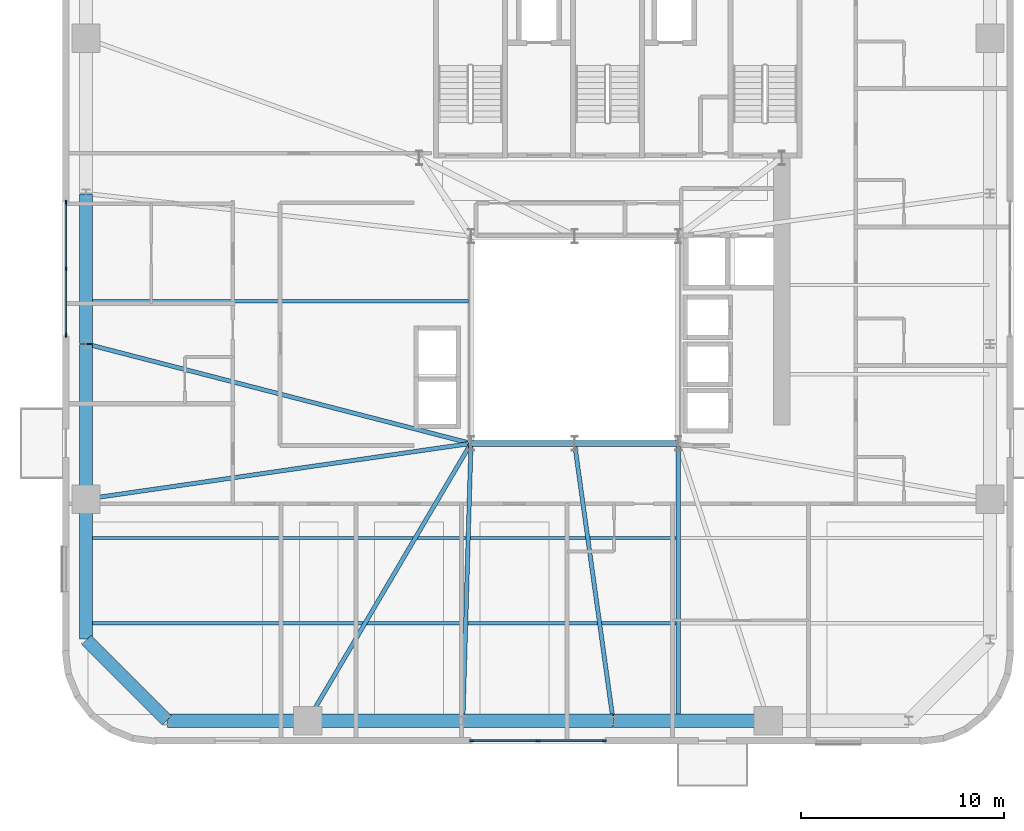
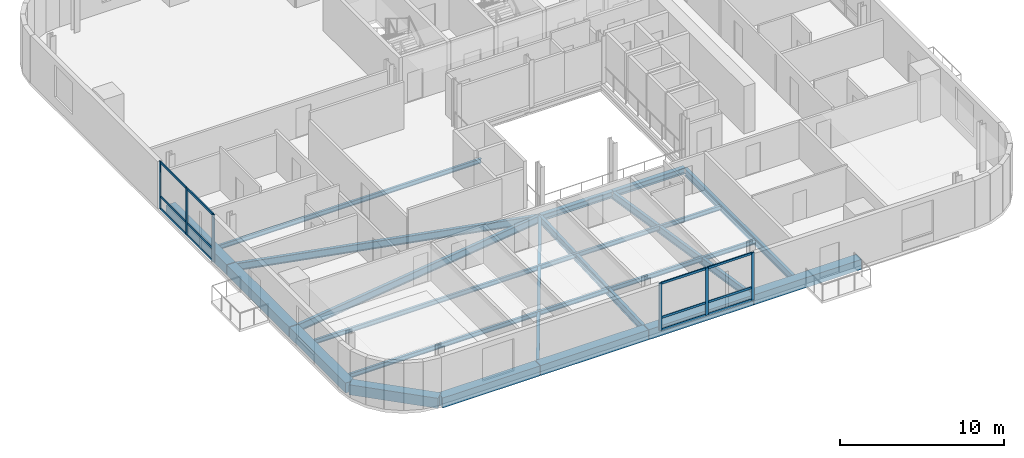
# One storey, part 3 of 16: 19 beams, 18 members, 2 elements without a shape of their own.
"""IFC4 building model written with IfcOpenShell, lengths in metres."""

import ifcopenshell
import ifcopenshell.guid

model = None  # the IFC model being written
_history = None  # IfcOwnerHistory: only IFC2X3 demands one
_inside = {}  # id of a spatial element -> (the spatial element, [elements in it])
_under = {}  # id of a project, library or spatial element -> (it, [spatial elements below it])
_declared = {}  # id of a project -> (the project, [libraries it declares])
_typed = {}  # id of a type object -> (the type object, [elements of that type])
_made_of = {}  # id of a material, layer set ... -> (it, [elements and type objects made of it])


def new_model(schema):
    """Start an empty IFC model of exactly this schema.

    Asked for "IFC4X3", IfcOpenShell would pick the latest addendum, in which some entities
    have other attributes; the version numbers below select the first issue.
    IFC2X3 requires an IfcOwnerHistory on every rooted entity: one is made here for all.
    """
    global model, _history
    if schema == "IFC4X3":
        model = ifcopenshell.file(schema_version=(4, 3, 0, 0))
    else:
        model = ifcopenshell.file(schema=schema)
    _inside.clear()
    _under.clear()
    _declared.clear()
    _typed.clear()
    _made_of.clear()
    _history = None
    if model.schema == "IFC2X3":
        org = make("IfcOrganization", Name="unknown")
        user = make(
            "IfcPersonAndOrganization",
            ThePerson=make("IfcPerson", FamilyName="unknown"),
            TheOrganization=org,
        )
        app = make(
            "IfcApplication",
            ApplicationDeveloper=org,
            Version="unknown",
            ApplicationFullName="unknown",
            ApplicationIdentifier="unknown",
        )
        _history = make(
            "IfcOwnerHistory",
            OwningUser=user,
            OwningApplication=app,
            ChangeAction="ADDED",
            CreationDate=0,
        )
    return model


def make(cls, **values):
    """One entity of the class cls with the attributes given. An attribute that is None is left unset."""
    return model.create_entity(
        cls, **{name: value for name, value in values.items() if value is not None}
    )


def rooted(cls, **values):
    """An entity with a GlobalId (a new one), such as an element, a storey or a relation."""
    return make(cls, GlobalId=ifcopenshell.guid.new(), OwnerHistory=_history, **values)


def si_unit(unit_type, name, prefix=None):
    """IfcSIUnit, for example si_unit("LENGTHUNIT", "METRE", prefix="MILLI")."""
    return make("IfcSIUnit", UnitType=unit_type, Prefix=prefix, Name=name)


def assignment(units):
    """IfcUnitAssignment: the units of a project."""
    return None if units is None else make("IfcUnitAssignment", Units=units)


def point(xyz):
    """IfcCartesianPoint."""
    return None if xyz is None else make("IfcCartesianPoint", Coordinates=xyz)


def direction(xyz):
    """IfcDirection."""
    return None if xyz is None else make("IfcDirection", DirectionRatios=xyz)


def frame(location, z_axis=None, x_axis=None):
    """IfcAxis2Placement3D, a coordinate frame: its origin and axes. An axis left out is left unset."""
    return make(
        "IfcAxis2Placement3D",
        Location=point(location),
        Axis=direction(z_axis),
        RefDirection=direction(x_axis),
    )


def frame_2d(location, x_axis=None):
    """IfcAxis2Placement2D, a coordinate frame in the plane: its origin and x axis."""
    return make(
        "IfcAxis2Placement2D", Location=point(location), RefDirection=direction(x_axis)
    )


def origin():
    """The frame at (0, 0, 0) with its axes left unset."""
    return frame((0.0, 0.0, 0.0))


def origin_2d():
    """The frame at (0, 0) in the plane with its x axis left unset."""
    return frame_2d((0.0, 0.0))


def place(relative_to, where):
    """IfcLocalPlacement: puts the frame where relative to a parent placement (None: the world)."""
    return make(
        "IfcLocalPlacement", PlacementRelTo=relative_to, RelativePlacement=where
    )


def context(
    kind, dimensions, precision=None, world=None, true_north=None, identifier=None
):
    """IfcGeometricRepresentationContext, for example the 3D "Model" context."""
    return make(
        "IfcGeometricRepresentationContext",
        ContextIdentifier=identifier,
        ContextType=kind,
        CoordinateSpaceDimension=dimensions,
        Precision=precision,
        WorldCoordinateSystem=world,
        TrueNorth=true_north,
    )


def subcontext(parent, identifier, kind, view, scale=None):
    """IfcGeometricRepresentationSubContext, for example "Body" below "Model"."""
    return make(
        "IfcGeometricRepresentationSubContext",
        ContextIdentifier=identifier,
        ContextType=kind,
        ParentContext=parent,
        TargetScale=scale,
        TargetView=view,
    )


def project(units=None, contexts=None):
    """IfcProject with its units and contexts."""
    return rooted(
        "IfcProject",
        Name="project",
        RepresentationContexts=contexts,
        UnitsInContext=assignment(units),
    )


def spatial(cls, under=None, at=None, **own):
    """A site, building, storey or space (cls), placed at a placement, below another one or the project."""
    s = rooted(cls, ObjectPlacement=at, **own)
    if under is not None:
        _under.setdefault(under.id(), (under, []))[1].append(s)
    return s


def profile(cls, at=None, kind="AREA", **sizes):
    """A parametric profile (cls). Its sizes go by their IFC names, for example OverallWidth=200.0."""
    return make(cls, ProfileType=kind, Position=at, **sizes)


def rectangle(**sizes):
    """IfcRectangleProfileDef."""
    return profile("IfcRectangleProfileDef", **sizes)


def i_section(**sizes):
    """IfcIShapeProfileDef."""
    return profile("IfcIShapeProfileDef", **sizes)


def extrude(swept, where, along, depth):
    """IfcExtrudedAreaSolid: the profile swept, set in the frame where, extruded along a direction by depth."""
    return make(
        "IfcExtrudedAreaSolid",
        SweptArea=swept,
        Position=where,
        ExtrudedDirection=direction(along),
        Depth=depth,
    )


def shape(context_of_items, identifier, shape_type, items):
    """IfcShapeRepresentation: the items that make up one representation, for example the "Body"."""
    return make(
        "IfcShapeRepresentation",
        ContextOfItems=context_of_items,
        RepresentationIdentifier=identifier,
        RepresentationType=shape_type,
        Items=items,
    )


def source(mapping_origin, context_of_items, identifier, shape_type, items):
    """IfcRepresentationMap: a shape defined once, which mapped items show again and again."""
    return make(
        "IfcRepresentationMap",
        MappingOrigin=mapping_origin,
        MappedRepresentation=shape(context_of_items, identifier, shape_type, items),
    )


def transform(
    local_origin,
    x_axis=None,
    y_axis=None,
    z_axis=None,
    scale=None,
    scale2=None,
    scale3=None,
    uniform=True,
):
    """IfcCartesianTransformationOperator3D, or its non-uniform kind. x_axis, y_axis, z_axis: its Axis1, 2, 3."""
    if uniform:
        return make(
            "IfcCartesianTransformationOperator3D",
            Axis1=direction(x_axis),
            Axis2=direction(y_axis),
            LocalOrigin=point(local_origin),
            Scale=scale,
            Axis3=direction(z_axis),
        )
    return make(
        "IfcCartesianTransformationOperator3DnonUniform",
        Axis1=direction(x_axis),
        Axis2=direction(y_axis),
        LocalOrigin=point(local_origin),
        Scale=scale,
        Axis3=direction(z_axis),
        Scale2=scale2,
        Scale3=scale3,
    )


def mapped(mapping_source, mapping_target):
    """IfcMappedItem: shows the shape of a source again, moved by a transform."""
    return make(
        "IfcMappedItem", MappingSource=mapping_source, MappingTarget=mapping_target
    )


def material(Name=None, Category=None):
    """IfcMaterial."""
    return make("IfcMaterial", Name=Name, Category=Category)


def material_profile(
    of_material, cross_section, Name=None, Category=None, Priority=None
):
    """IfcMaterialProfile: a cross section and its material."""
    return make(
        "IfcMaterialProfile",
        Name=Name,
        Material=of_material,
        Profile=cross_section,
        Priority=Priority,
        Category=Category,
    )


def profile_set(profiles, Name=None, composite=None):
    """IfcMaterialProfileSet."""
    return make(
        "IfcMaterialProfileSet",
        Name=Name,
        MaterialProfiles=profiles,
        CompositeProfile=composite,
    )


def made_of(thing, what):
    """Note that an element or type object is made of a material, layer set ...; save() writes the relation."""
    if what is not None:
        _made_of.setdefault(what.id(), (what, []))[1].append(thing)
    return thing


def type_object(cls, material=None, **own):
    """A type object (cls), such as IfcWallType, which elements share."""
    return made_of(rooted(cls, **own), material)


def element(
    cls,
    number,
    at=None,
    inside=None,
    cuts=None,
    type_object=None,
    material=None,
    context=None,
    identifier="Body",
    shape_type=None,
    held_by="IfcProductDefinitionShape",
    body=None,
    shapes=None,
    **own,
):
    """One element of the class cls, such as IfcWall. Its Tag is "e" and its number.

    at: its placement. inside: the storey or other place that contains it. cuts: it is an
    opening in that element (IfcRelVoidsElement). A single representation is given by context,
    identifier, shape_type and body (its items); several are given by shapes. held_by: the class
    of the entity that holds the representations. save() writes the other relations.
    """
    e = rooted(cls, Tag="e%d" % number, ObjectPlacement=at, **own)
    if body is not None:
        shapes = [shape(context, identifier, shape_type, body)]
    if shapes is not None:
        e.Representation = make(held_by, Representations=shapes)
    if inside is not None:
        _inside.setdefault(inside.id(), (inside, []))[1].append(e)
    if cuts is not None:
        rooted(
            "IfcRelVoidsElement", RelatingBuildingElement=cuts, RelatedOpeningElement=e
        )
    if type_object is not None:
        _typed.setdefault(type_object.id(), (type_object, []))[1].append(e)
    return made_of(e, material)


def aggregate(whole, parts):
    """IfcRelAggregates: a whole, such as a stair, and the parts it consists of."""
    return rooted("IfcRelAggregates", RelatingObject=whole, RelatedObjects=parts)


def save(model, path):
    """Write the relations noted so far, then the file.

    IfcRelAggregates (storeys below a building ...), IfcRelContainedInSpatialStructure (elements
    in a storey), IfcRelDefinesByType, IfcRelAssociatesMaterial and IfcRelDeclares: one each for
    every whole, place, type object, material and project.
    """
    for whole, parts in _under.values():
        aggregate(whole, parts)
    for where, things in _inside.values():
        rooted(
            "IfcRelContainedInSpatialStructure",
            RelatedElements=things,
            RelatingStructure=where,
        )
    for kind, things in _typed.values():
        rooted("IfcRelDefinesByType", RelatedObjects=things, RelatingType=kind)
    for what, things in _made_of.values():
        rooted("IfcRelAssociatesMaterial", RelatedObjects=things, RelatingMaterial=what)
    for by, libraries in _declared.values():
        rooted("IfcRelDeclares", RelatingContext=by, RelatedDefinitions=libraries)
    model.write(path)


model = new_model("IFC4")

# Units and contexts
model_context = context("Model", 3, precision=1e-05, world=origin(), true_north=direction((0.0, 1.0)))
body_context = subcontext(model_context, "Body", "Model", "MODEL_VIEW")
ifc_project = project(units=[si_unit("LENGTHUNIT", "METRE"), si_unit("AREAUNIT", "SQUARE_METRE"), si_unit("VOLUMEUNIT", "CUBIC_METRE"), si_unit("PLANEANGLEUNIT", "RADIAN"), si_unit("MASSUNIT", "GRAM", prefix="KILO")], contexts=[model_context])

# Site, building, storey
site_placement = place(None, origin())
site = spatial("IfcSite", under=ifc_project, at=site_placement, CompositionType="ELEMENT")
building_placement = place(site_placement, origin())
building = spatial("IfcBuilding", under=site, at=building_placement, Name="Vardaveli Station Tower", CompositionType="ELEMENT")
storey_placement = place(building_placement, frame((0.0, 0.0, 199.800048828125)))
storey = spatial("IfcBuildingStorey", under=building, at=storey_placement, Name="L51", CompositionType="ELEMENT", Elevation=199.800048828125)

# Beams
ifc_material_1 = material(Name="Structural steel S355J2", Category="steel")
ifc_material_profile_1 = material_profile(ifc_material_1, i_section(OverallWidth=0.300048828125, OverallDepth=0.449951171875, WebThickness=0.013916015625, FlangeThickness=0.02587890625, FilletRadius=0.027099609375, at=origin_2d()), Name="HEB 450")
ifc_profile_set_1 = profile_set([ifc_material_profile_1], Name="Structural steel S355J2")
beam_type_1 = type_object("IfcBeamType", Name="BM-HEB450", PredefinedType="BEAM", material=ifc_profile_set_1)
shared_shape_1 = source(origin(), body_context, "Body", "SweptSolid", [
    extrude(i_section(OverallWidth=0.300048828125, OverallDepth=0.449951171875, WebThickness=0.013916015625, FlangeThickness=0.02587890625, FilletRadius=0.027099609375, at=origin_2d()), origin(), (0.0, 0.0, 1.0), 5.06005859375),
])
beam_1_placement = place(storey_placement, frame((31.219970703125, 16.60009765625, -0.445068359375), z_axis=(1.0, 0.0, 0.0), x_axis=(0.0, 1.0, 0.0)))
element("IfcBeam", 1, at=beam_1_placement, inside=storey, type_object=beam_type_1, Name="ABM-L51-01", PredefinedType="BEAM", context=body_context, shape_type="MappedRepresentation", body=[
    mapped(shared_shape_1, transform((0.0, 0.0, 0.0), scale=1.0)),
])
shared_shape_2 = source(origin(), body_context, "Body", "SweptSolid", [
    extrude(i_section(OverallWidth=0.300048828125, OverallDepth=0.449951171875, WebThickness=0.013916015625, FlangeThickness=0.02587890625, FilletRadius=0.027099609375, at=origin_2d()), origin(), (0.0, 0.0, 1.0), 5.059814453125),
])
beam_2_placement = place(storey_placement, frame((36.320068359375, 16.60009765625, -0.445068359375), z_axis=(1.0, 0.0, 0.0), x_axis=(0.0, 1.0, 0.0)))
element("IfcBeam", 2, at=beam_2_placement, inside=storey, type_object=beam_type_1, Name="ABM-L51-02", PredefinedType="BEAM", context=body_context, shape_type="MappedRepresentation", body=[
    mapped(shared_shape_2, transform((0.0, 0.0, 0.0), scale=1.0)),
])
ifc_material_2 = material(Name="Precast concrete C45/55", Category="concrete")
ifc_material_profile_2 = material_profile(ifc_material_2, rectangle(XDim=0.64990234375, YDim=0.75, at=origin_2d()), Name="LPB 650x750")
ifc_profile_set_2 = profile_set([ifc_material_profile_2], Name="Precast concrete C45/55")
beam_type_2 = type_object("IfcBeamType", Name="BM-LPB-750", PredefinedType="BEAM", material=ifc_profile_set_2)
shared_shape_3 = source(origin(), body_context, "Body", "SweptSolid", [
    extrude(rectangle(XDim=0.64990234375, YDim=0.75, at=origin_2d()), origin(), (0.0, 0.0, 1.0), 7.60009765625),
])
for number, where, z_axis, x_axis, name in (
    (3, (23.179931640625, 2.949951171875, -0.594970703125), (1.0, 0.0, 0.0), (0.0, 1.0, 0.0), "RBM-L51-01"),
    (4, (38.219970703125, 2.949951171875, -0.594970703125), (1.0, 0.0, 0.0), (0.0, 1.0, 0.0), "RBM-L51-03"),
    (5, (12.25, 21.47998046875, -0.594970703125), (0.0, -1.0, 0.0), (1.0, 0.0, 0.0), "RBM-L51-21"),
):
    element("IfcBeam", number, at=place(storey_placement, frame(where, z_axis=z_axis, x_axis=x_axis)), inside=storey, type_object=beam_type_2, Name=name, PredefinedType="BEAM", context=body_context, shape_type="MappedRepresentation", body=[
        mapped(shared_shape_3, transform((0.0, 0.0, 0.0), scale=1.0)),
    ])
shared_shape_4 = source(origin(), body_context, "Body", "SweptSolid", [
    extrude(rectangle(XDim=0.64990234375, YDim=0.75, at=origin_2d()), origin(), (0.0, 0.0, 1.0), 7.35986328125),
])
for number, where, z_axis, x_axis, name in (
    (6, (30.820068359375, 2.949951171875, -0.594970703125), (1.0, 0.0, 0.0), (0.0, 1.0, 0.0), "RBM-L51-02"),
    (7, (12.25, 28.8798828125, -0.594970703125), (0.0, -1.0, 0.0), (1.0, 0.0, 0.0), "RBM-L51-20"),
):
    element("IfcBeam", number, at=place(storey_placement, frame(where, z_axis=z_axis, x_axis=x_axis)), inside=storey, type_object=beam_type_2, Name=name, PredefinedType="BEAM", context=body_context, shape_type="MappedRepresentation", body=[
        mapped(shared_shape_4, transform((0.0, 0.0, 0.0), scale=1.0)),
    ])
shared_shape_5 = source(origin(), body_context, "Body", "SweptSolid", [
    extrude(rectangle(XDim=0.64990234375, YDim=0.75, at=origin_2d()), origin(), (0.0, 0.0, 1.0), 6.869873046875),
])
beam_3_placement = place(storey_placement, frame((16.27001953125, 2.949951171875, -0.594970703125), z_axis=(1.0, 0.0, 0.0), x_axis=(0.0, 1.0, 0.0)))
element("IfcBeam", 8, at=beam_3_placement, inside=storey, type_object=beam_type_2, Name="RBM-L51-24", PredefinedType="BEAM", context=body_context, shape_type="MappedRepresentation", body=[
    mapped(shared_shape_5, transform((0.0, 0.0, 0.0), scale=1.0)),
])
shared_shape_6 = source(origin(), body_context, "Body", "SweptSolid", [
    extrude(rectangle(XDim=0.64990234375, YDim=0.75, at=origin_2d()), origin(), (0.0, 0.0, 1.0), 5.61669921875),
])
beam_4_placement = place(storey_placement, frame((12.26416015625, 6.935791015625, -0.594970703125), z_axis=(0.707106781187, -0.707106781187, 0.0), x_axis=(0.707106781187, 0.707106781187, 0.0)))
element("IfcBeam", 9, at=beam_4_placement, inside=storey, type_object=beam_type_2, Name="RBM-L51-23", PredefinedType="BEAM", context=body_context, shape_type="MappedRepresentation", body=[
    mapped(shared_shape_6, transform((0.0, 0.0, 0.0), scale=1.0)),
])
shared_shape_7 = source(origin(), body_context, "Body", "SweptSolid", [
    extrude(rectangle(XDim=0.64990234375, YDim=0.75, at=origin_2d()), origin(), (0.0, 0.0, 1.0), 6.8701171875),
])
beam_5_placement = place(storey_placement, frame((12.25, 13.840087890625, -0.594970703125), z_axis=(0.0, -1.0, 0.0), x_axis=(1.0, 0.0, 0.0)))
element("IfcBeam", 10, at=beam_5_placement, inside=storey, type_object=beam_type_2, Name="RBM-L51-22", PredefinedType="BEAM", context=body_context, shape_type="MappedRepresentation", body=[
    mapped(shared_shape_7, transform((0.0, 0.0, 0.0), scale=1.0)),
])
ifc_material_profile_3 = material_profile(ifc_material_1, i_section(OverallWidth=0.2099609375, OverallDepth=0.550048828125, WebThickness=0.010986328125, FlangeThickness=0.01708984375, FilletRadius=0.02392578125, at=origin_2d()), Name="IPE 550")
ifc_profile_set_3 = profile_set([ifc_material_profile_3], Name="Structural steel S355J2")
beam_type_3 = type_object("IfcBeamType", Name="BM-IPE550", PredefinedType="BEAM", material=ifc_profile_set_3)
shared_shape_8 = source(origin(), body_context, "Body", "SweptSolid", [
    extrude(i_section(OverallWidth=0.2099609375, OverallDepth=0.550048828125, WebThickness=0.010986328125, FlangeThickness=0.01708984375, FilletRadius=0.02392578125, at=origin_2d()), origin(), (0.0, 0.0, 1.0), 13.469970703125),
])
beam_6_placement = place(storey_placement, frame((41.39990234375, 2.989990234375, -0.4951171875), z_axis=(0.0, 1.0, 0.0), x_axis=(-1.0, 0.0, 0.0)))
element("IfcBeam", 11, at=beam_6_placement, inside=storey, type_object=beam_type_3, Name="NSM-L51-S2", PredefinedType="BEAM", context=body_context, shape_type="MappedRepresentation", body=[
    mapped(shared_shape_8, transform((0.0, 0.0, 0.0), scale=1.0)),
])
ifc_material_profile_4 = material_profile(ifc_material_1, i_section(OverallWidth=0.159912109375, OverallDepth=0.330078125, WebThickness=0.007568359375, FlangeThickness=0.011474609375, FilletRadius=0.01806640625, at=origin_2d()), Name="IPE 330")
ifc_profile_set_4 = profile_set([ifc_material_profile_4], Name="Structural steel S355J2")
beam_type_4 = type_object("IfcBeamType", Name="BM-IPE330", PredefinedType="JOIST", material=ifc_profile_set_4)
shared_shape_9 = source(origin(), body_context, "Body", "SweptSolid", [
    extrude(i_section(OverallWidth=0.159912109375, OverallDepth=0.330078125, WebThickness=0.007568359375, FlangeThickness=0.011474609375, FilletRadius=0.01806640625, at=origin_2d()), origin(), (0.0, 0.0, 1.0), 28.998046875),
])
for number, where, z_axis, x_axis, name in (
    (12, (12.2900390625, 7.75, -0.385009765625), (1.0, 0.0, 0.0), (0.0, 1.0, 0.0), "SJ-L51-S01"),
    (13, (12.2900390625, 11.949951171875, -0.385009765625), (1.0, 0.0, 0.0), (0.0, 1.0, 0.0), "SJ-L51-S03"),
):
    element("IfcBeam", number, at=place(storey_placement, frame(where, z_axis=z_axis, x_axis=x_axis)), inside=storey, type_object=beam_type_4, Name=name, PredefinedType="JOIST", context=body_context, shape_type="MappedRepresentation", body=[
        mapped(shared_shape_9, transform((0.0, 0.0, 0.0), scale=1.0)),
    ])
shared_shape_10 = source(origin(), body_context, "Body", "SweptSolid", [
    extrude(i_section(OverallWidth=0.159912109375, OverallDepth=0.330078125, WebThickness=0.007568359375, FlangeThickness=0.011474609375, FilletRadius=0.01806640625, at=origin_2d()), origin(), (0.0, 0.0, 1.0), 18.7978515625),
])
beam_7_placement = place(storey_placement, frame((12.2900390625, 23.60009765625, -0.385009765625), z_axis=(1.0, 0.0, 0.0), x_axis=(0.0, 1.0, 0.0)))
element("IfcBeam", 14, at=beam_7_placement, inside=storey, type_object=beam_type_4, Name="SJ-L51-W06", PredefinedType="JOIST", context=body_context, shape_type="MappedRepresentation", body=[
    mapped(shared_shape_10, transform((0.0, 0.0, 0.0), scale=1.0)),
])
shared_shape_11 = source(origin(), body_context, "Body", "SweptSolid", [
    extrude(i_section(OverallWidth=0.2099609375, OverallDepth=0.550048828125, WebThickness=0.010986328125, FlangeThickness=0.01708984375, FilletRadius=0.02392578125, at=origin_2d()), origin(), (0.0, 0.0, 1.0), 15.8017578125),
])
beam_8_placement = place(storey_placement, frame((23.170166015625, 2.96728515625, -0.4951171875), z_axis=(0.507521713546, 0.86163896748, 0.0), x_axis=(-0.86163896748, 0.507521713546, 0.0)))
element("IfcBeam", 15, at=beam_8_placement, inside=storey, type_object=beam_type_3, Name="GBM-L51-01", PredefinedType="BEAM", context=body_context, shape_type="MappedRepresentation", body=[
    mapped(shared_shape_11, transform((0.0, 0.0, 0.0), scale=1.0)),
])
shared_shape_12 = source(origin(), body_context, "Body", "SweptSolid", [
    extrude(i_section(OverallWidth=0.2099609375, OverallDepth=0.550048828125, WebThickness=0.010986328125, FlangeThickness=0.01708984375, FilletRadius=0.02392578125, at=origin_2d()), origin(), (0.0, 0.0, 1.0), 13.615966796875),
])
beam_9_placement = place(storey_placement, frame((30.800537109375, 2.969970703125, -0.4951171875), z_axis=(0.029298411379, 0.9995707094, 0.0), x_axis=(-0.9995707094, 0.029298411379, 0.0)))
element("IfcBeam", 16, at=beam_9_placement, inside=storey, type_object=beam_type_3, Name="GBM-L51-02", PredefinedType="BEAM", context=body_context, shape_type="MappedRepresentation", body=[
    mapped(shared_shape_12, transform((0.0, 0.0, 0.0), scale=1.0)),
])
shared_shape_13 = source(origin(), body_context, "Body", "SweptSolid", [
    extrude(i_section(OverallWidth=0.2099609375, OverallDepth=0.550048828125, WebThickness=0.010986328125, FlangeThickness=0.01708984375, FilletRadius=0.02392578125, at=origin_2d()), origin(), (0.0, 0.0, 1.0), 13.741455078125),
])
beam_10_placement = place(storey_placement, frame((38.197265625, 2.9697265625, -0.4951171875), z_axis=(-0.137868554024, 0.990450534762, 0.0), x_axis=(-0.990450534762, -0.137868554024, 0.0)))
element("IfcBeam", 17, at=beam_10_placement, inside=storey, type_object=beam_type_3, Name="GBM-L51-03", PredefinedType="BEAM", context=body_context, shape_type="MappedRepresentation", body=[
    mapped(shared_shape_13, transform((0.0, 0.0, 0.0), scale=1.0)),
])
shared_shape_14 = source(origin(), body_context, "Body", "SweptSolid", [
    extrude(i_section(OverallWidth=0.2099609375, OverallDepth=0.550048828125, WebThickness=0.010986328125, FlangeThickness=0.01708984375, FilletRadius=0.02392578125, at=origin_2d()), origin(), (0.0, 0.0, 1.0), 19.533447265625),
])
beam_11_placement = place(storey_placement, frame((12.269287109375, 21.494873046875, -0.4951171875), z_axis=(0.968159081778, -0.250335759272, 0.0), x_axis=(0.250335759272, 0.968159081778, 0.0)))
element("IfcBeam", 18, at=beam_11_placement, inside=storey, type_object=beam_type_3, Name="GBM-L51-09", PredefinedType="BEAM", context=body_context, shape_type="MappedRepresentation", body=[
    mapped(shared_shape_14, transform((0.0, 0.0, 0.0), scale=1.0)),
])
shared_shape_15 = source(origin(), body_context, "Body", "SweptSolid", [
    extrude(i_section(OverallWidth=0.2099609375, OverallDepth=0.550048828125, WebThickness=0.010986328125, FlangeThickness=0.01708984375, FilletRadius=0.02392578125, at=origin_2d()), origin(), (0.0, 0.0, 1.0), 19.107177734375),
])
beam_12_placement = place(storey_placement, frame((12.269775390625, 13.86279296875, -0.4951171875), z_axis=(0.989707072711, 0.143108036903, 0.0), x_axis=(-0.143108036903, 0.989707072711, 0.0)))
element("IfcBeam", 19, at=beam_12_placement, inside=storey, type_object=beam_type_3, Name="GBM-L51-10", PredefinedType="BEAM", context=body_context, shape_type="MappedRepresentation", body=[
    mapped(shared_shape_15, transform((0.0, 0.0, 0.0), scale=1.0)),
])

# Curtain wall, members
ifc_material_3 = material(Name="Travertine stone and solar-control glass", Category="masonry")
curtain_wall_type = type_object("IfcCurtainWallType", Name="CW-SYS-5", PredefinedType="NOTDEFINED", material=ifc_material_3)
curtain_wall_1_placement = place(storey_placement, origin())
curtain_wall_1 = element("IfcCurtainWall", 20, at=curtain_wall_1_placement, inside=storey, type_object=curtain_wall_type, Name="CW-L51-S", PredefinedType="NOTDEFINED")
ifc_material_4 = material(Name="Anodised aluminium alloy 6063-T6", Category="aluminium")
ifc_material_profile_5 = material_profile(ifc_material_4, rectangle(XDim=0.080078125, YDim=0.1650390625, at=origin_2d()), Name="CWT 80x165")
ifc_profile_set_5 = profile_set([ifc_material_profile_5], Name="Anodised aluminium alloy 6063-T6")
member_type_1 = type_object("IfcMemberType", Name="CW-SYS-5-TRAN", PredefinedType="NOTDEFINED", material=ifc_profile_set_5)
shared_shape_16 = source(origin(), body_context, "Body", "SweptSolid", [
    extrude(rectangle(XDim=0.080078125, YDim=0.1650390625, at=origin_2d()), origin(), (0.0, 0.0, 1.0), 3.179931640625),
])
member_1_placement = place(storey_placement, frame((31.280029296875, 1.9599609375, 0.0400390625), z_axis=(1.0, 0.0, 0.0), x_axis=(0.0, 1.0, 0.0)))
member_1 = element("IfcMember", 21, at=member_1_placement, type_object=member_type_1, Name="CW-5 transom 1.1", ObjectType="TRANSOM", PredefinedType="USERDEFINED", context=body_context, shape_type="MappedRepresentation", body=[
    mapped(shared_shape_16, transform((0.0, 0.0, 0.0), scale=1.0)),
])
member_2_placement = place(storey_placement, frame((31.280029296875, 1.9599609375, 0.949951171875), z_axis=(1.0, 0.0, 0.0), x_axis=(0.0, 1.0, 0.0)))
member_2 = element("IfcMember", 22, at=member_2_placement, type_object=member_type_1, Name="CW-5 transom 1.2", ObjectType="TRANSOM", PredefinedType="USERDEFINED", context=body_context, shape_type="MappedRepresentation", body=[
    mapped(shared_shape_16, transform((0.0, 0.0, 0.0), scale=1.0)),
])
member_3_placement = place(storey_placement, frame((31.280029296875, 1.9599609375, 3.489990234375), z_axis=(1.0, 0.0, 0.0), x_axis=(0.0, 1.0, 0.0)))
member_3 = element("IfcMember", 23, at=member_3_placement, type_object=member_type_1, Name="CW-5 transom 1.3", ObjectType="TRANSOM", PredefinedType="USERDEFINED", context=body_context, shape_type="MappedRepresentation", body=[
    mapped(shared_shape_16, transform((0.0, 0.0, 0.0), scale=1.0)),
])
member_4_placement = place(storey_placement, frame((34.5400390625, 1.9599609375, 0.0400390625), z_axis=(1.0, 0.0, 0.0), x_axis=(0.0, 1.0, 0.0)))
member_4 = element("IfcMember", 24, at=member_4_placement, type_object=member_type_1, Name="CW-5 transom 2.1", ObjectType="TRANSOM", PredefinedType="USERDEFINED", context=body_context, shape_type="MappedRepresentation", body=[
    mapped(shared_shape_16, transform((0.0, 0.0, 0.0), scale=1.0)),
])
member_5_placement = place(storey_placement, frame((34.5400390625, 1.9599609375, 0.949951171875), z_axis=(1.0, 0.0, 0.0), x_axis=(0.0, 1.0, 0.0)))
member_5 = element("IfcMember", 25, at=member_5_placement, type_object=member_type_1, Name="CW-5 transom 2.2", ObjectType="TRANSOM", PredefinedType="USERDEFINED", context=body_context, shape_type="MappedRepresentation", body=[
    mapped(shared_shape_16, transform((0.0, 0.0, 0.0), scale=1.0)),
])
member_6_placement = place(storey_placement, frame((34.5400390625, 1.9599609375, 3.489990234375), z_axis=(1.0, 0.0, 0.0), x_axis=(0.0, 1.0, 0.0)))
member_6 = element("IfcMember", 26, at=member_6_placement, type_object=member_type_1, Name="CW-5 transom 2.3", ObjectType="TRANSOM", PredefinedType="USERDEFINED", context=body_context, shape_type="MappedRepresentation", body=[
    mapped(shared_shape_16, transform((0.0, 0.0, 0.0), scale=1.0)),
])

curtain_wall_2_placement = place(storey_placement, origin())
curtain_wall_2 = element("IfcCurtainWall", 27, at=curtain_wall_2_placement, inside=storey, type_object=curtain_wall_type, Name="CW-L51-W", PredefinedType="NOTDEFINED")
member_7_placement = place(storey_placement, frame((11.260009765625, 28.419921875, 0.0400390625), z_axis=(0.0, -1.0, 0.0), x_axis=(1.0, 0.0, 0.0)))
member_7 = element("IfcMember", 28, at=member_7_placement, type_object=member_type_1, Name="CW-5 transom 1.1", ObjectType="TRANSOM", PredefinedType="USERDEFINED", context=body_context, shape_type="MappedRepresentation", body=[
    mapped(shared_shape_16, transform((0.0, 0.0, 0.0), scale=1.0)),
])
member_8_placement = place(storey_placement, frame((11.260009765625, 28.419921875, 0.949951171875), z_axis=(0.0, -1.0, 0.0), x_axis=(1.0, 0.0, 0.0)))
member_8 = element("IfcMember", 29, at=member_8_placement, type_object=member_type_1, Name="CW-5 transom 1.2", ObjectType="TRANSOM", PredefinedType="USERDEFINED", context=body_context, shape_type="MappedRepresentation", body=[
    mapped(shared_shape_16, transform((0.0, 0.0, 0.0), scale=1.0)),
])
member_9_placement = place(storey_placement, frame((11.260009765625, 28.419921875, 3.489990234375), z_axis=(0.0, -1.0, 0.0), x_axis=(1.0, 0.0, 0.0)))
member_9 = element("IfcMember", 30, at=member_9_placement, type_object=member_type_1, Name="CW-5 transom 1.3", ObjectType="TRANSOM", PredefinedType="USERDEFINED", context=body_context, shape_type="MappedRepresentation", body=[
    mapped(shared_shape_16, transform((0.0, 0.0, 0.0), scale=1.0)),
])
member_10_placement = place(storey_placement, frame((11.260009765625, 25.159912109375, 0.0400390625), z_axis=(0.0, -1.0, 0.0), x_axis=(1.0, 0.0, 0.0)))
member_10 = element("IfcMember", 31, at=member_10_placement, type_object=member_type_1, Name="CW-5 transom 2.1", ObjectType="TRANSOM", PredefinedType="USERDEFINED", context=body_context, shape_type="MappedRepresentation", body=[
    mapped(shared_shape_16, transform((0.0, 0.0, 0.0), scale=1.0)),
])
member_11_placement = place(storey_placement, frame((11.260009765625, 25.159912109375, 0.949951171875), z_axis=(0.0, -1.0, 0.0), x_axis=(1.0, 0.0, 0.0)))
member_11 = element("IfcMember", 32, at=member_11_placement, type_object=member_type_1, Name="CW-5 transom 2.2", ObjectType="TRANSOM", PredefinedType="USERDEFINED", context=body_context, shape_type="MappedRepresentation", body=[
    mapped(shared_shape_16, transform((0.0, 0.0, 0.0), scale=1.0)),
])
member_12_placement = place(storey_placement, frame((11.260009765625, 25.159912109375, 3.489990234375), z_axis=(0.0, -1.0, 0.0), x_axis=(1.0, 0.0, 0.0)))
member_12 = element("IfcMember", 33, at=member_12_placement, type_object=member_type_1, Name="CW-5 transom 2.3", ObjectType="TRANSOM", PredefinedType="USERDEFINED", context=body_context, shape_type="MappedRepresentation", body=[
    mapped(shared_shape_16, transform((0.0, 0.0, 0.0), scale=1.0)),
])

# Member
ifc_material_profile_6 = material_profile(ifc_material_4, rectangle(XDim=0.080078125, YDim=0.205078125, at=origin_2d()), Name="CWM 80x205")
ifc_profile_set_6 = profile_set([ifc_material_profile_6], Name="Anodised aluminium alloy 6063-T6")
member_type_2 = type_object("IfcMemberType", Name="CW-SYS-5-MULL", PredefinedType="MULLION", material=ifc_profile_set_6)
shared_shape_17 = source(origin(), body_context, "Body", "SweptSolid", [
    extrude(rectangle(XDim=0.080078125, YDim=0.205078125, at=origin_2d()), origin(), (0.0, 0.0, 1.0), 3.530029296875),
])
member_13_placement = place(storey_placement, frame((31.239990234375, 1.9599609375, 0.0), z_axis=(0.0, 0.0, 1.0), x_axis=(0.0, 1.0, 0.0)))
member_13 = element("IfcMember", 34, at=member_13_placement, type_object=member_type_2, Name="CW-5 mullion 1", PredefinedType="MULLION", context=body_context, shape_type="MappedRepresentation", body=[
    mapped(shared_shape_17, transform((0.0, 0.0, 0.0), scale=1.0)),
])

member_14_placement = place(storey_placement, frame((34.5, 1.9599609375, 0.0), z_axis=(0.0, 0.0, 1.0), x_axis=(0.0, 1.0, 0.0)))
member_14 = element("IfcMember", 35, at=member_14_placement, type_object=member_type_2, Name="CW-5 mullion 2", PredefinedType="MULLION", context=body_context, shape_type="MappedRepresentation", body=[
    mapped(shared_shape_17, transform((0.0, 0.0, 0.0), scale=1.0)),
])

member_15_placement = place(storey_placement, frame((37.760009765625, 1.9599609375, 0.0), z_axis=(0.0, 0.0, 1.0), x_axis=(0.0, 1.0, 0.0)))
member_15 = element("IfcMember", 36, at=member_15_placement, type_object=member_type_2, Name="CW-5 mullion 3", PredefinedType="MULLION", context=body_context, shape_type="MappedRepresentation", body=[
    mapped(shared_shape_17, transform((0.0, 0.0, 0.0), scale=1.0)),
])

aggregate(curtain_wall_1, [member_13, member_14, member_15, member_1, member_2, member_3, member_4, member_5, member_6])

member_16_placement = place(storey_placement, frame((11.260009765625, 28.4599609375, 0.0), z_axis=(0.0, 0.0, 1.0), x_axis=(1.0, 0.0, 0.0)))
member_16 = element("IfcMember", 37, at=member_16_placement, type_object=member_type_2, Name="CW-5 mullion 1", PredefinedType="MULLION", context=body_context, shape_type="MappedRepresentation", body=[
    mapped(shared_shape_17, transform((0.0, 0.0, 0.0), scale=1.0)),
])

member_17_placement = place(storey_placement, frame((11.260009765625, 25.199951171875, 0.0), z_axis=(0.0, 0.0, 1.0), x_axis=(1.0, 0.0, 0.0)))
member_17 = element("IfcMember", 38, at=member_17_placement, type_object=member_type_2, Name="CW-5 mullion 2", PredefinedType="MULLION", context=body_context, shape_type="MappedRepresentation", body=[
    mapped(shared_shape_17, transform((0.0, 0.0, 0.0), scale=1.0)),
])

member_18_placement = place(storey_placement, frame((11.260009765625, 21.93994140625, 0.0), z_axis=(0.0, 0.0, 1.0), x_axis=(1.0, 0.0, 0.0)))
member_18 = element("IfcMember", 39, at=member_18_placement, type_object=member_type_2, Name="CW-5 mullion 3", PredefinedType="MULLION", context=body_context, shape_type="MappedRepresentation", body=[
    mapped(shared_shape_17, transform((0.0, 0.0, 0.0), scale=1.0)),
])

aggregate(curtain_wall_2, [member_16, member_17, member_18, member_7, member_8, member_9, member_10, member_11, member_12])

save(model, "model.ifc")
